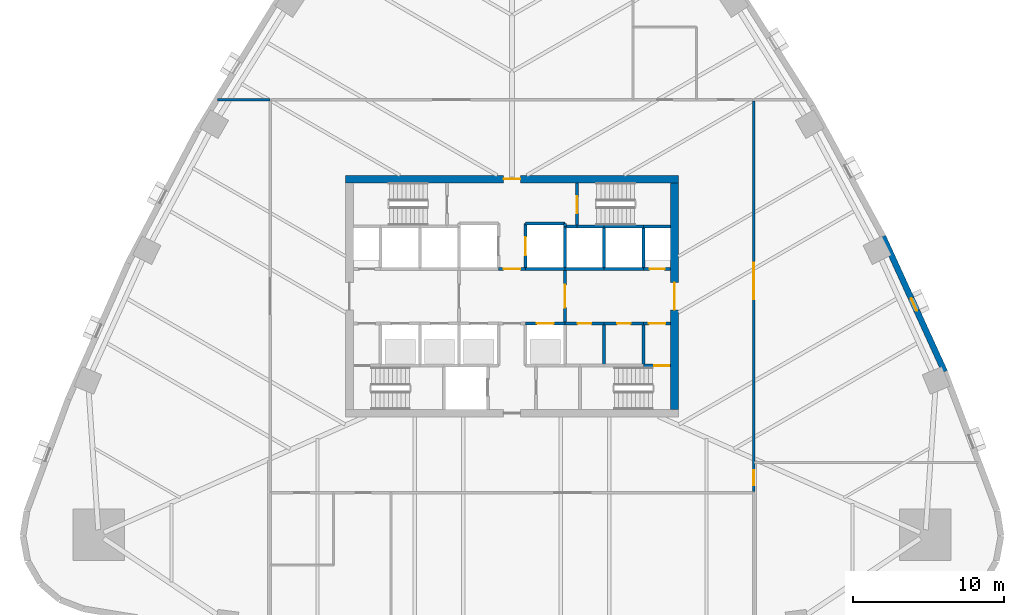
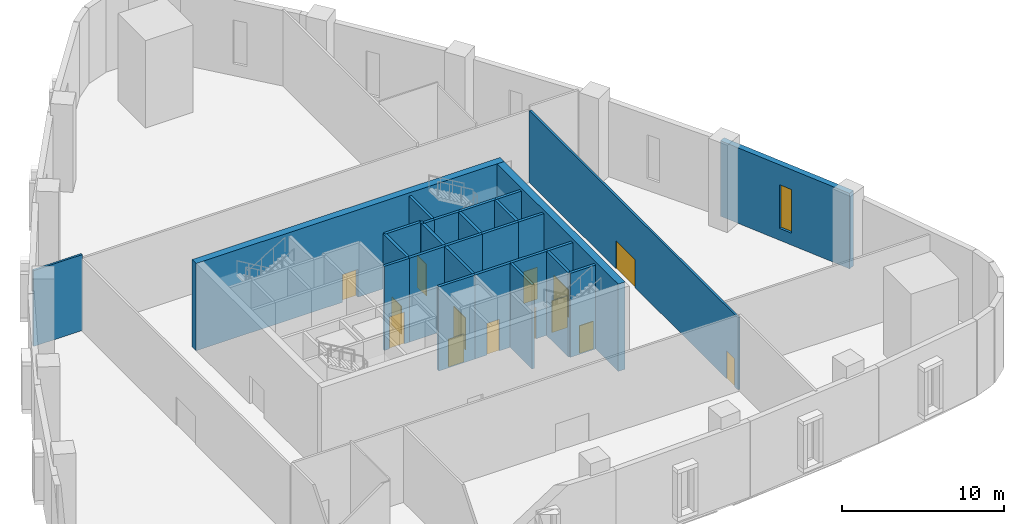
# One storey, part 5 of 11: 29 walls, 14 doors, 1 window, 15 openings.
"""IFC4 building model written with IfcOpenShell, lengths in metres."""

from ifc_helpers import new_model, si_unit, direction, frame, frame_2d, origin, place, context, subcontext, project, spatial, rectangle, extrude, material, layer, layer_set, type_object, element, fill, save


model = new_model("IFC4")

# Units and contexts
model_context = context("Model", 3, precision=1e-05, world=origin(), true_north=direction((0.0, 1.0)))
body_context = subcontext(model_context, "Body", "Model", "MODEL_VIEW")
ifc_project = project(units=[si_unit("LENGTHUNIT", "METRE"), si_unit("AREAUNIT", "SQUARE_METRE"), si_unit("VOLUMEUNIT", "CUBIC_METRE"), si_unit("PLANEANGLEUNIT", "RADIAN"), si_unit("MASSUNIT", "GRAM", prefix="KILO")], contexts=[model_context])

# Site, building, storey
site_placement = place(None, origin())
site = spatial("IfcSite", under=ifc_project, at=site_placement, CompositionType="ELEMENT")
building_placement = place(site_placement, origin())
building = spatial("IfcBuilding", under=site, at=building_placement, Name="Sierra Prisma Convention Tower", CompositionType="ELEMENT")
storey_placement = place(building_placement, frame((0.0, 0.0, 22.199951171875)))
storey = spatial("IfcBuildingStorey", under=building, at=storey_placement, Name="L03", CompositionType="ELEMENT", Elevation=22.199951171875)

# Wall, opening, door
ifc_material_1 = material(Name="Concrete C30/37", Category="concrete")
ifc_layer_1 = layer(ifc_material_1, 0.199951171875)
ifc_layer_set_1 = layer_set([ifc_layer_1], Name="Core wall RC 200 C30/37")
wall_type_1 = type_object("IfcWallType", Name="Core wall RC 200 C30/37", PredefinedType="SOLIDWALL", material=ifc_layer_set_1)
wall_1_placement = place(storey_placement, frame((0.89990234375, 1.800048828125, 0.0), z_axis=(0.0, 0.0, 1.0), x_axis=(-1.0, 0.0, 0.0)))
wall_1 = element("IfcWall", 1, at=wall_1_placement, inside=storey, type_object=wall_type_1, Name="Core wall L03 34", PredefinedType="SOLIDWALL", context=body_context, shape_type="SweptSolid", body=[
    extrude(rectangle(XDim=1.7998046875, YDim=0.199951171875, at=frame_2d((0.89990234375, 0.0))), origin(), (0.0, 0.0, 1.0), 6.35009765625),
])
opening_1_placement = place(wall_1_placement, frame((0.35009765625, 0.0, 0.0)))
opening_1 = element("IfcOpeningElement", 2, at=opening_1_placement, cuts=wall_1, Name="Opening L03-D012", PredefinedType="OPENING", context=body_context, shape_type="SweptSolid", body=[
    extrude(rectangle(XDim=1.10009765625, YDim=2.39990234375, at=frame_2d((0.550048828125, 1.199951171875))), frame((0.0, 0.10009765625, 0.0), z_axis=(0.0, -1.0, 0.0), x_axis=(1.0, 0.0, 0.0)), (0.0, 0.0, 1.0), 0.199951171875),
])
ifc_material_2 = material(Name="Steel fire door leaf", Category="steel")
door_type_1 = type_object("IfcDoorType", Name="Door 1100x2400 FD60S", OperationType="SINGLE_SWING_LEFT", PredefinedType="DOOR", material=ifc_material_2)
door_1_placement = place(opening_1_placement, origin())
door_1 = element("IfcDoor", 3, at=door_1_placement, inside=storey, type_object=door_type_1, Name="Door L03 21", OperationType="SINGLE_SWING_LEFT", OverallHeight=2.39990234375, OverallWidth=1.10009765625, PredefinedType="DOOR", context=body_context, shape_type="SweptSolid", body=[
    extrude(rectangle(XDim=1.10009765625, YDim=2.39990234375, at=frame_2d((0.550048828125, 1.199951171875))), frame((0.0, 0.02490234375, 0.0), z_axis=(0.0, -1.0, 0.0), x_axis=(1.0, 0.0, 0.0)), (0.0, 0.0, 1.0), 0.050048828125),
])
fill(opening_1, door_1)

wall_2_placement = place(storey_placement, frame((0.89990234375, -1.800048828125, 0.0), z_axis=(0.0, 0.0, 1.0), x_axis=(1.0, 0.0, 0.0)))
wall_2 = element("IfcWall", 4, at=wall_2_placement, inside=storey, type_object=wall_type_1, Name="Core wall L03 35", PredefinedType="SOLIDWALL", context=body_context, shape_type="SweptSolid", body=[
    extrude(rectangle(XDim=2.60009765625, YDim=0.199951171875, at=frame_2d((1.300048828125, 0.0))), origin(), (0.0, 0.0, 1.0), 6.35009765625),
])
opening_2_placement = place(wall_2_placement, frame((0.75, 0.0, 0.0)))
opening_2 = element("IfcOpeningElement", 5, at=opening_2_placement, cuts=wall_2, Name="Opening L03-D004", PredefinedType="OPENING", context=body_context, shape_type="SweptSolid", body=[
    extrude(rectangle(XDim=1.10009765625, YDim=2.10009765625, at=frame_2d((0.550048828125, 1.050048828125))), frame((0.0, 0.10009765625, 0.0), z_axis=(0.0, -1.0, 0.0), x_axis=(1.0, 0.0, 0.0)), (0.0, 0.0, 1.0), 0.199951171875),
])
ifc_material_3 = material(Name="Steel fire door leaf", Category="steel")
door_type_2 = type_object("IfcDoorType", Name="Door 1100x2100 EI 90 sliding lift landing", OperationType="SLIDING_TO_LEFT", PredefinedType="DOOR", material=ifc_material_3)
door_2_placement = place(opening_2_placement, origin())
door_2 = element("IfcDoor", 6, at=door_2_placement, inside=storey, type_object=door_type_2, Name="Door L03 13", OperationType="SLIDING_TO_LEFT", OverallHeight=2.10009765625, OverallWidth=1.10009765625, PredefinedType="DOOR", context=body_context, shape_type="SweptSolid", body=[
    extrude(rectangle(XDim=1.10009765625, YDim=2.10009765625, at=frame_2d((0.550048828125, 1.050048828125))), frame((0.0, 0.02490234375, 0.0), z_axis=(0.0, -1.0, 0.0), x_axis=(1.0, 0.0, 0.0)), (0.0, 0.0, 1.0), 0.050048828125),
])
fill(opening_2, door_2)

# Walls
wall_3_placement = place(storey_placement, frame((3.5, 1.800048828125, 0.0), z_axis=(0.0, 0.0, 1.0), x_axis=(-1.0, 0.0, 0.0)))
element("IfcWall", 7, at=wall_3_placement, inside=storey, type_object=wall_type_1, Name="Core wall L03 38", PredefinedType="SOLIDWALL", context=body_context, shape_type="SweptSolid", body=[
    extrude(rectangle(XDim=2.60009765625, YDim=0.199951171875, at=frame_2d((1.300048828125, 0.0))), origin(), (0.0, 0.0, 1.0), 6.35009765625),
])
wall_4_placement = place(storey_placement, frame((3.5, 4.60009765625, 0.0), z_axis=(0.0, 0.0, 1.0), x_axis=(0.0, 1.0, 0.0)))
element("IfcWall", 8, at=wall_4_placement, inside=storey, type_object=wall_type_1, Name="Core wall L03 39", PredefinedType="SOLIDWALL", context=body_context, shape_type="SweptSolid", body=[
    extrude(rectangle(XDim=0.199951171875, YDim=0.199951171875, at=frame_2d((0.10009765625, 0.0))), origin(), (0.0, 0.0, 1.0), 6.35009765625),
])
wall_5_placement = place(storey_placement, frame((3.5, 4.800048828125, 0.0), z_axis=(0.0, 0.0, 1.0), x_axis=(-1.0, 0.0, 0.0)))
element("IfcWall", 9, at=wall_5_placement, inside=storey, type_object=wall_type_1, Name="Core wall L03 40", PredefinedType="SOLIDWALL", context=body_context, shape_type="SweptSolid", body=[
    extrude(rectangle(XDim=2.60009765625, YDim=0.199951171875, at=frame_2d((1.300048828125, 0.0))), origin(), (0.0, 0.0, 1.0), 6.35009765625),
])

# Wall, opening, door
wall_6_placement = place(storey_placement, frame((0.89990234375, 4.800048828125, 0.0), z_axis=(0.0, 0.0, 1.0), x_axis=(0.0, -1.0, 0.0)))
wall_6 = element("IfcWall", 10, at=wall_6_placement, inside=storey, type_object=wall_type_1, Name="Core wall L03 41", PredefinedType="SOLIDWALL", context=body_context, shape_type="SweptSolid", body=[
    extrude(rectangle(XDim=3.0, YDim=0.199951171875, at=frame_2d((1.5, 0.0))), origin(), (0.0, 0.0, 1.0), 6.35009765625),
])
opening_3_placement = place(wall_6_placement, frame((0.89990234375, 0.0, 0.0)))
opening_3 = element("IfcOpeningElement", 11, at=opening_3_placement, cuts=wall_6, Name="Opening L03-D006", PredefinedType="OPENING", context=body_context, shape_type="SweptSolid", body=[
    extrude(rectangle(XDim=1.199951171875, YDim=2.10009765625, at=frame_2d((0.60009765625, 1.050048828125))), frame((0.0, 0.10009765625, 0.0), z_axis=(0.0, -1.0, 0.0), x_axis=(1.0, 0.0, 0.0)), (0.0, 0.0, 1.0), 0.199951171875),
])
ifc_material_4 = material(Name="Steel fire door leaf", Category="steel")
door_type_3 = type_object("IfcDoorType", Name="Door 1200x2100 EI 90 sliding lift landing", OperationType="SLIDING_TO_LEFT", PredefinedType="DOOR", material=ifc_material_4)
door_3_placement = place(opening_3_placement, origin())
door_3 = element("IfcDoor", 12, at=door_3_placement, inside=storey, type_object=door_type_3, Name="Door L03 15", OperationType="SLIDING_TO_LEFT", OverallHeight=2.10009765625, OverallWidth=1.199951171875, PredefinedType="DOOR", context=body_context, shape_type="SweptSolid", body=[
    extrude(rectangle(XDim=1.199951171875, YDim=2.10009765625, at=frame_2d((0.60009765625, 1.050048828125))), frame((0.0, 0.02490234375, 0.0), z_axis=(0.0, -1.0, 0.0), x_axis=(1.0, 0.0, 0.0)), (0.0, 0.0, 1.0), 0.050048828125),
])
fill(opening_3, door_3)

wall_7_placement = place(storey_placement, frame((6.10009765625, -1.800048828125, 0.0), z_axis=(0.0, 0.0, 1.0), x_axis=(-1.0, 0.0, 0.0)))
wall_7 = element("IfcWall", 13, at=wall_7_placement, inside=storey, type_object=wall_type_1, Name="Core wall L03 46", PredefinedType="SOLIDWALL", context=body_context, shape_type="SweptSolid", body=[
    extrude(rectangle(XDim=2.60009765625, YDim=0.199951171875, at=frame_2d((1.300048828125, 0.0))), origin(), (0.0, 0.0, 1.0), 6.35009765625),
])
opening_4_placement = place(wall_7_placement, frame((0.85009765625, 0.0, 0.0)))
opening_4 = element("IfcOpeningElement", 14, at=opening_4_placement, cuts=wall_7, Name="Opening L03-D020", PredefinedType="OPENING", context=body_context, shape_type="SweptSolid", body=[
    extrude(rectangle(XDim=0.89990234375, YDim=2.39990234375, at=frame_2d((0.449951171875, 1.199951171875))), frame((0.0, 0.10009765625, 0.0), z_axis=(0.0, -1.0, 0.0), x_axis=(1.0, 0.0, 0.0)), (0.0, 0.0, 1.0), 0.199951171875),
])
ifc_material_5 = material(Name="Steel fire door leaf", Category="steel")
door_type_4 = type_object("IfcDoorType", Name="Door 900x2400 FD30S", OperationType="SINGLE_SWING_LEFT", PredefinedType="DOOR", material=ifc_material_5)
door_4_placement = place(opening_4_placement, origin())
door_4 = element("IfcDoor", 15, at=door_4_placement, inside=storey, type_object=door_type_4, Name="Door L03 29", OperationType="SINGLE_SWING_LEFT", OverallHeight=2.39990234375, OverallWidth=0.89990234375, PredefinedType="DOOR", context=body_context, shape_type="SweptSolid", body=[
    extrude(rectangle(XDim=0.89990234375, YDim=2.39990234375, at=frame_2d((0.449951171875, 1.199951171875))), frame((0.0, 0.02490234375, 0.0), z_axis=(0.0, -1.0, 0.0), x_axis=(1.0, 0.0, 0.0)), (0.0, 0.0, 1.0), 0.050048828125),
])
fill(opening_4, door_4)

wall_8_placement = place(storey_placement, frame((3.5, -1.800048828125, 0.0), z_axis=(0.0, 0.0, 1.0), x_axis=(0.0, 1.0, 0.0)))
wall_8 = element("IfcWall", 16, at=wall_8_placement, inside=storey, type_object=wall_type_1, Name="Core wall L03 47", PredefinedType="SOLIDWALL", context=body_context, shape_type="SweptSolid", body=[
    extrude(rectangle(XDim=3.60009765625, YDim=0.199951171875, at=frame_2d((1.800048828125, 0.0))), origin(), (0.0, 0.0, 1.0), 6.35009765625),
])
opening_5_placement = place(wall_8_placement, frame((1.050048828125, 0.0, 0.0)))
opening_5 = element("IfcOpeningElement", 17, at=opening_5_placement, cuts=wall_8, Name="Opening L03-D009", PredefinedType="OPENING", context=body_context, shape_type="SweptSolid", body=[
    extrude(rectangle(XDim=1.5, YDim=2.39990234375, at=frame_2d((0.75, 1.199951171875))), frame((0.0, 0.10009765625, 0.0), z_axis=(0.0, -1.0, 0.0), x_axis=(1.0, 0.0, 0.0)), (0.0, 0.0, 1.0), 0.199951171875),
])
ifc_material_6 = material(Name="Steel fire door leaf", Category="steel")
door_type_5 = type_object("IfcDoorType", Name="Door 1500x2400 FD30S", OperationType="DOUBLE_DOOR_SINGLE_SWING", PredefinedType="DOOR", material=ifc_material_6)
door_5_placement = place(opening_5_placement, origin())
door_5 = element("IfcDoor", 18, at=door_5_placement, inside=storey, type_object=door_type_5, Name="Door L03 18", OperationType="DOUBLE_DOOR_SINGLE_SWING", OverallHeight=2.39990234375, OverallWidth=1.5, PredefinedType="DOOR", context=body_context, shape_type="SweptSolid", body=[
    extrude(rectangle(XDim=1.5, YDim=2.39990234375, at=frame_2d((0.75, 1.199951171875))), frame((0.0, 0.02490234375, 0.0), z_axis=(0.0, -1.0, 0.0), x_axis=(1.0, 0.0, 0.0)), (0.0, 0.0, 1.0), 0.050048828125),
])
fill(opening_5, door_5)

# Walls
wall_9_placement = place(storey_placement, frame((6.10009765625, 1.800048828125, 0.0), z_axis=(0.0, 0.0, 1.0), x_axis=(-1.0, 0.0, 0.0)))
element("IfcWall", 19, at=wall_9_placement, inside=storey, type_object=wall_type_1, Name="Core wall L03 48", PredefinedType="SOLIDWALL", context=body_context, shape_type="SweptSolid", body=[
    extrude(rectangle(XDim=2.60009765625, YDim=0.199951171875, at=frame_2d((1.300048828125, 0.0))), origin(), (0.0, 0.0, 1.0), 6.35009765625),
])
wall_10_placement = place(storey_placement, frame((3.5, 1.800048828125, 0.0), z_axis=(0.0, 0.0, 1.0), x_axis=(0.0, 1.0, 0.0)))
element("IfcWall", 20, at=wall_10_placement, inside=storey, type_object=wall_type_1, Name="Core wall L03 49", PredefinedType="SOLIDWALL", context=body_context, shape_type="SweptSolid", body=[
    extrude(rectangle(XDim=2.800048828125, YDim=0.199951171875, at=frame_2d((1.39990234375, 0.0))), origin(), (0.0, 0.0, 1.0), 6.35009765625),
])
wall_11_placement = place(storey_placement, frame((4.300048828125, 4.60009765625, 0.0), z_axis=(0.0, 0.0, 1.0), x_axis=(-1.0, 0.0, 0.0)))
element("IfcWall", 21, at=wall_11_placement, inside=storey, type_object=wall_type_1, Name="Core wall L03 50", PredefinedType="SOLIDWALL", context=body_context, shape_type="SweptSolid", body=[
    extrude(rectangle(XDim=0.800048828125, YDim=0.199951171875, at=frame_2d((0.39990234375, 0.0))), origin(), (0.0, 0.0, 1.0), 6.35009765625),
])
wall_12_placement = place(storey_placement, frame((6.10009765625, 4.60009765625, 0.0), z_axis=(0.0, 0.0, 1.0), x_axis=(-1.0, 0.0, 0.0)))
element("IfcWall", 22, at=wall_12_placement, inside=storey, type_object=wall_type_1, Name="Core wall L03 51", PredefinedType="SOLIDWALL", context=body_context, shape_type="SweptSolid", body=[
    extrude(rectangle(XDim=1.800048828125, YDim=0.199951171875, at=frame_2d((0.89990234375, 0.0))), origin(), (0.0, 0.0, 1.0), 6.35009765625),
])

# Wall, opening, door
wall_13_placement = place(storey_placement, frame((4.300048828125, 7.5, 0.0), z_axis=(0.0, 0.0, 1.0), x_axis=(0.0, -1.0, 0.0)))
wall_13 = element("IfcWall", 23, at=wall_13_placement, inside=storey, type_object=wall_type_1, Name="Core wall L03 52", PredefinedType="SOLIDWALL", context=body_context, shape_type="SweptSolid", body=[
    extrude(rectangle(XDim=2.89990234375, YDim=0.199951171875, at=frame_2d((1.449951171875, 0.0))), origin(), (0.0, 0.0, 1.0), 6.35009765625),
])
opening_6_placement = place(wall_13_placement, frame((0.89990234375, 0.0, 0.0)))
opening_6 = element("IfcOpeningElement", 24, at=opening_6_placement, cuts=wall_13, Name="Opening L03-D019", PredefinedType="OPENING", context=body_context, shape_type="SweptSolid", body=[
    extrude(rectangle(XDim=1.10009765625, YDim=2.39990234375, at=frame_2d((0.550048828125, 1.199951171875))), frame((0.0, 0.10009765625, 0.0), z_axis=(0.0, -1.0, 0.0), x_axis=(1.0, 0.0, 0.0)), (0.0, 0.0, 1.0), 0.199951171875),
])
ifc_material_7 = material(Name="Steel fire door leaf", Category="steel")
door_type_6 = type_object("IfcDoorType", Name="Door 1100x2400 FD90S", OperationType="SINGLE_SWING_LEFT", PredefinedType="DOOR", material=ifc_material_7)
door_6_placement = place(opening_6_placement, origin())
door_6 = element("IfcDoor", 25, at=door_6_placement, inside=storey, type_object=door_type_6, Name="Door L03 28", OperationType="SINGLE_SWING_RIGHT", OverallHeight=2.39990234375, OverallWidth=1.10009765625, PredefinedType="DOOR", context=body_context, shape_type="SweptSolid", body=[
    extrude(rectangle(XDim=1.10009765625, YDim=2.39990234375, at=frame_2d((0.550048828125, 1.199951171875))), frame((0.0, 0.02490234375, 0.0), z_axis=(0.0, -1.0, 0.0), x_axis=(1.0, 0.0, 0.0)), (0.0, 0.0, 1.0), 0.050048828125),
])
fill(opening_6, door_6)

# Wall
wall_14_placement = place(storey_placement, frame((6.10009765625, -4.60009765625, 0.0), z_axis=(0.0, 0.0, 1.0), x_axis=(0.0, 1.0, 0.0)))
element("IfcWall", 26, at=wall_14_placement, inside=storey, type_object=wall_type_1, Name="Core wall L03 56", PredefinedType="SOLIDWALL", context=body_context, shape_type="SweptSolid", body=[
    extrude(rectangle(XDim=2.800048828125, YDim=0.199951171875, at=frame_2d((1.39990234375, 0.0))), origin(), (0.0, 0.0, 1.0), 6.35009765625),
])

# Wall, opening, door
wall_15_placement = place(storey_placement, frame((8.699951171875, -1.800048828125, 0.0), z_axis=(0.0, 0.0, 1.0), x_axis=(-1.0, 0.0, 0.0)))
wall_15 = element("IfcWall", 27, at=wall_15_placement, inside=storey, type_object=wall_type_1, Name="Core wall L03 57", PredefinedType="SOLIDWALL", context=body_context, shape_type="SweptSolid", body=[
    extrude(rectangle(XDim=2.599853515625, YDim=0.199951171875, at=frame_2d((1.2998046875, 0.0))), origin(), (0.0, 0.0, 1.0), 6.35009765625),
])
opening_7_placement = place(wall_15_placement, frame((0.85009765625, 0.0, 0.0)))
opening_7 = element("IfcOpeningElement", 28, at=opening_7_placement, cuts=wall_15, Name="Opening L03-D021", PredefinedType="OPENING", context=body_context, shape_type="SweptSolid", body=[
    extrude(rectangle(XDim=0.89990234375, YDim=2.39990234375, at=frame_2d((0.449951171875, 1.199951171875))), frame((0.0, 0.10009765625, 0.0), z_axis=(0.0, -1.0, 0.0), x_axis=(1.0, 0.0, 0.0)), (0.0, 0.0, 1.0), 0.199951171875),
])
door_7_placement = place(opening_7_placement, origin())
door_7 = element("IfcDoor", 29, at=door_7_placement, inside=storey, type_object=door_type_4, Name="Door L03 30", OperationType="SINGLE_SWING_LEFT", OverallHeight=2.39990234375, OverallWidth=0.89990234375, PredefinedType="DOOR", context=body_context, shape_type="SweptSolid", body=[
    extrude(rectangle(XDim=0.89990234375, YDim=2.39990234375, at=frame_2d((0.449951171875, 1.199951171875))), frame((0.0, 0.02490234375, 0.0), z_axis=(0.0, -1.0, 0.0), x_axis=(1.0, 0.0, 0.0)), (0.0, 0.0, 1.0), 0.050048828125),
])
fill(opening_7, door_7)

# Walls
wall_16_placement = place(storey_placement, frame((8.699951171875, 1.800048828125, 0.0), z_axis=(0.0, 0.0, 1.0), x_axis=(-1.0, 0.0, 0.0)))
element("IfcWall", 30, at=wall_16_placement, inside=storey, type_object=wall_type_1, Name="Core wall L03 58", PredefinedType="SOLIDWALL", context=body_context, shape_type="SweptSolid", body=[
    extrude(rectangle(XDim=2.599853515625, YDim=0.199951171875, at=frame_2d((1.2998046875, 0.0))), origin(), (0.0, 0.0, 1.0), 6.35009765625),
])
wall_17_placement = place(storey_placement, frame((6.10009765625, 1.800048828125, 0.0), z_axis=(0.0, 0.0, 1.0), x_axis=(0.0, 1.0, 0.0)))
element("IfcWall", 31, at=wall_17_placement, inside=storey, type_object=wall_type_1, Name="Core wall L03 59", PredefinedType="SOLIDWALL", context=body_context, shape_type="SweptSolid", body=[
    extrude(rectangle(XDim=2.800048828125, YDim=0.199951171875, at=frame_2d((1.39990234375, 0.0))), origin(), (0.0, 0.0, 1.0), 6.35009765625),
])
wall_18_placement = place(storey_placement, frame((8.699951171875, 4.60009765625, 0.0), z_axis=(0.0, 0.0, 1.0), x_axis=(-1.0, 0.0, 0.0)))
element("IfcWall", 32, at=wall_18_placement, inside=storey, type_object=wall_type_1, Name="Core wall L03 60", PredefinedType="SOLIDWALL", context=body_context, shape_type="SweptSolid", body=[
    extrude(rectangle(XDim=2.599853515625, YDim=0.199951171875, at=frame_2d((1.2998046875, 0.0))), origin(), (0.0, 0.0, 1.0), 6.35009765625),
])

# Wall, opening, door
wall_19_placement = place(storey_placement, frame((8.699951171875, -4.60009765625, 0.0), z_axis=(0.0, 0.0, 1.0), x_axis=(1.0, 0.0, 0.0)))
wall_19 = element("IfcWall", 33, at=wall_19_placement, inside=storey, type_object=wall_type_1, Name="Core wall L03 61", PredefinedType="SOLIDWALL", context=body_context, shape_type="SweptSolid", body=[
    extrude(rectangle(XDim=1.800048828125, YDim=0.199951171875, at=frame_2d((0.89990234375, 0.0))), origin(), (0.0, 0.0, 1.0), 6.35009765625),
])
opening_8_placement = place(wall_19_placement, frame((0.699951171875, 0.0, 0.0)))
opening_8 = element("IfcOpeningElement", 34, at=opening_8_placement, cuts=wall_19, Name="Opening L03-D017", PredefinedType="OPENING", context=body_context, shape_type="SweptSolid", body=[
    extrude(rectangle(XDim=1.0, YDim=2.10009765625, at=frame_2d((0.5, 1.050048828125))), frame((0.0, 0.10009765625, 0.0), z_axis=(0.0, -1.0, 0.0), x_axis=(1.0, 0.0, 0.0)), (0.0, 0.0, 1.0), 0.199951171875),
])
ifc_material_8 = material(Name="Steel fire door leaf", Category="steel")
door_type_7 = type_object("IfcDoorType", Name="Door 1000x2100 FD90S", OperationType="SINGLE_SWING_LEFT", PredefinedType="DOOR", material=ifc_material_8)
door_8_placement = place(opening_8_placement, origin())
door_8 = element("IfcDoor", 35, at=door_8_placement, inside=storey, type_object=door_type_7, Name="Door L03 26", OperationType="SINGLE_SWING_RIGHT", OverallHeight=2.10009765625, OverallWidth=1.0, PredefinedType="DOOR", context=body_context, shape_type="SweptSolid", body=[
    extrude(rectangle(XDim=1.0, YDim=2.10009765625, at=frame_2d((0.5, 1.050048828125))), frame((0.0, 0.02490234375, 0.0), z_axis=(0.0, -1.0, 0.0), x_axis=(1.0, 0.0, 0.0)), (0.0, 0.0, 1.0), 0.050048828125),
])
fill(opening_8, door_8)

# Wall
wall_20_placement = place(storey_placement, frame((8.699951171875, -4.60009765625, 0.0), z_axis=(0.0, 0.0, 1.0), x_axis=(0.0, 1.0, 0.0)))
element("IfcWall", 36, at=wall_20_placement, inside=storey, type_object=wall_type_1, Name="Core wall L03 62", PredefinedType="SOLIDWALL", context=body_context, shape_type="SweptSolid", body=[
    extrude(rectangle(XDim=2.800048828125, YDim=0.199951171875, at=frame_2d((1.39990234375, 0.0))), origin(), (0.0, 0.0, 1.0), 6.35009765625),
])

# Wall, opening, door
wall_21_placement = place(storey_placement, frame((8.699951171875, -1.800048828125, 0.0), z_axis=(0.0, 0.0, 1.0), x_axis=(1.0, 0.0, 0.0)))
wall_21 = element("IfcWall", 37, at=wall_21_placement, inside=storey, type_object=wall_type_1, Name="Core wall L03 63", PredefinedType="SOLIDWALL", context=body_context, shape_type="SweptSolid", body=[
    extrude(rectangle(XDim=1.800048828125, YDim=0.199951171875, at=frame_2d((0.89990234375, 0.0))), origin(), (0.0, 0.0, 1.0), 6.35009765625),
])
opening_9_placement = place(wall_21_placement, frame((0.35009765625, 0.0, 0.0)))
opening_9 = element("IfcOpeningElement", 38, at=opening_9_placement, cuts=wall_21, Name="Opening L03-D011", PredefinedType="OPENING", context=body_context, shape_type="SweptSolid", body=[
    extrude(rectangle(XDim=1.10009765625, YDim=2.39990234375, at=frame_2d((0.550048828125, 1.199951171875))), frame((0.0, 0.10009765625, 0.0), z_axis=(0.0, -1.0, 0.0), x_axis=(1.0, 0.0, 0.0)), (0.0, 0.0, 1.0), 0.199951171875),
])
door_9_placement = place(opening_9_placement, origin())
door_9 = element("IfcDoor", 39, at=door_9_placement, inside=storey, type_object=door_type_6, Name="Door L03 20", OperationType="SINGLE_SWING_RIGHT", OverallHeight=2.39990234375, OverallWidth=1.10009765625, PredefinedType="DOOR", context=body_context, shape_type="SweptSolid", body=[
    extrude(rectangle(XDim=1.10009765625, YDim=2.39990234375, at=frame_2d((0.550048828125, 1.199951171875))), frame((0.0, 0.02490234375, 0.0), z_axis=(0.0, -1.0, 0.0), x_axis=(1.0, 0.0, 0.0)), (0.0, 0.0, 1.0), 0.050048828125),
])
fill(opening_9, door_9)

wall_22_placement = place(storey_placement, frame((10.5, 1.800048828125, 0.0), z_axis=(0.0, 0.0, 1.0), x_axis=(-1.0, 0.0, 0.0)))
wall_22 = element("IfcWall", 40, at=wall_22_placement, inside=storey, type_object=wall_type_1, Name="Core wall L03 64", PredefinedType="SOLIDWALL", context=body_context, shape_type="SweptSolid", body=[
    extrude(rectangle(XDim=1.800048828125, YDim=0.199951171875, at=frame_2d((0.89990234375, 0.0))), origin(), (0.0, 0.0, 1.0), 6.35009765625),
])
opening_10_placement = place(wall_22_placement, frame((0.39990234375, 0.0, 0.0)))
opening_10 = element("IfcOpeningElement", 41, at=opening_10_placement, cuts=wall_22, Name="Opening L03-D015", PredefinedType="OPENING", context=body_context, shape_type="SweptSolid", body=[
    extrude(rectangle(XDim=1.0, YDim=2.39990234375, at=frame_2d((0.5, 1.199951171875))), frame((0.0, 0.10009765625, 0.0), z_axis=(0.0, -1.0, 0.0), x_axis=(1.0, 0.0, 0.0)), (0.0, 0.0, 1.0), 0.199951171875),
])
ifc_material_9 = material(Name="Steel fire door leaf", Category="steel")
door_type_8 = type_object("IfcDoorType", Name="Door 1000x2400 FD60S", OperationType="SINGLE_SWING_LEFT", PredefinedType="DOOR", material=ifc_material_9)
door_10_placement = place(opening_10_placement, origin())
door_10 = element("IfcDoor", 42, at=door_10_placement, inside=storey, type_object=door_type_8, Name="Door L03 24", OperationType="SINGLE_SWING_LEFT", OverallHeight=2.39990234375, OverallWidth=1.0, PredefinedType="DOOR", context=body_context, shape_type="SweptSolid", body=[
    extrude(rectangle(XDim=1.0, YDim=2.39990234375, at=frame_2d((0.5, 1.199951171875))), frame((0.0, 0.02490234375, 0.0), z_axis=(0.0, -1.0, 0.0), x_axis=(1.0, 0.0, 0.0)), (0.0, 0.0, 1.0), 0.050048828125),
])
fill(opening_10, door_10)

# Walls
wall_23_placement = place(storey_placement, frame((8.699951171875, 4.60009765625, 0.0), z_axis=(0.0, 0.0, 1.0), x_axis=(0.0, -1.0, 0.0)))
element("IfcWall", 43, at=wall_23_placement, inside=storey, type_object=wall_type_1, Name="Core wall L03 65", PredefinedType="SOLIDWALL", context=body_context, shape_type="SweptSolid", body=[
    extrude(rectangle(XDim=2.800048828125, YDim=0.199951171875, at=frame_2d((1.39990234375, 0.0))), origin(), (0.0, 0.0, 1.0), 6.35009765625),
])
wall_24_placement = place(storey_placement, frame((10.5, 4.60009765625, 0.0), z_axis=(0.0, 0.0, 1.0), x_axis=(-1.0, 0.0, 0.0)))
element("IfcWall", 44, at=wall_24_placement, inside=storey, type_object=wall_type_1, Name="Core wall L03 66", PredefinedType="SOLIDWALL", context=body_context, shape_type="SweptSolid", body=[
    extrude(rectangle(XDim=1.800048828125, YDim=0.199951171875, at=frame_2d((0.89990234375, 0.0))), origin(), (0.0, 0.0, 1.0), 6.35009765625),
])

# Wall, opening, door
ifc_material_10 = material(Name="Concrete C70/85", Category="concrete")
ifc_layer_2 = layer(ifc_material_10, 0.5)
ifc_layer_set_2 = layer_set([ifc_layer_2], Name="Core wall RC 500 C70/85")
wall_type_2 = type_object("IfcWallType", Name="Core wall RC 500 C70/85", PredefinedType="SHEAR", material=ifc_layer_set_2)
wall_25_placement = place(storey_placement, frame((-11.0, 7.75, 0.0), z_axis=(0.0, 0.0, 1.0), x_axis=(1.0, 0.0, 0.0)))
wall_25 = element("IfcWall", 45, at=wall_25_placement, inside=storey, type_object=wall_type_2, Name="Core wall N L03", PredefinedType="SHEAR", context=body_context, shape_type="SweptSolid", body=[
    extrude(rectangle(XDim=22.0, YDim=0.5, at=frame_2d((11.0, 0.0))), origin(), (0.0, 0.0, 1.0), 6.60009765625),
])
opening_11_placement = place(wall_25_placement, frame((10.449951171875, 0.0, 0.0)))
opening_11 = element("IfcOpeningElement", 46, at=opening_11_placement, cuts=wall_25, Name="Opening L03-D033", PredefinedType="OPENING", context=body_context, shape_type="SweptSolid", body=[
    extrude(rectangle(XDim=1.10009765625, YDim=2.10009765625, at=frame_2d((0.550048828125, 1.050048828125))), frame((0.0, 0.25, 0.0), z_axis=(0.0, -1.0, 0.0), x_axis=(1.0, 0.0, 0.0)), (0.0, 0.0, 1.0), 0.5),
])
ifc_material_11 = material(Name="Steel fire door leaf", Category="steel")
door_type_9 = type_object("IfcDoorType", Name="Door 1100x2100 FD60S", OperationType="SINGLE_SWING_LEFT", PredefinedType="DOOR", material=ifc_material_11)
door_11_placement = place(opening_11_placement, origin())
door_11 = element("IfcDoor", 47, at=door_11_placement, inside=storey, type_object=door_type_9, Name="Door L03 34", OperationType="SINGLE_SWING_LEFT", OverallHeight=2.10009765625, OverallWidth=1.10009765625, PredefinedType="DOOR", context=body_context, shape_type="SweptSolid", body=[
    extrude(rectangle(XDim=1.10009765625, YDim=2.10009765625, at=frame_2d((0.550048828125, 1.050048828125))), frame((0.0, 0.02490234375, 0.0), z_axis=(0.0, -1.0, 0.0), x_axis=(1.0, 0.0, 0.0)), (0.0, 0.0, 1.0), 0.050048828125),
])
fill(opening_11, door_11)

wall_26_placement = place(storey_placement, frame((10.75, -7.5, 0.0), z_axis=(0.0, 0.0, 1.0), x_axis=(0.0, 1.0, 0.0)))
wall_26 = element("IfcWall", 48, at=wall_26_placement, inside=storey, type_object=wall_type_2, Name="Core wall E L03", PredefinedType="SHEAR", context=body_context, shape_type="SweptSolid", body=[
    extrude(rectangle(XDim=15.0, YDim=0.5, at=frame_2d((7.5, 0.0))), origin(), (0.0, 0.0, 1.0), 6.60009765625),
])
opening_12_placement = place(wall_26_placement, frame((6.60009765625, 0.0, 0.0)))
opening_12 = element("IfcOpeningElement", 49, at=opening_12_placement, cuts=wall_26, Name="Opening L03-D032", PredefinedType="OPENING", context=body_context, shape_type="SweptSolid", body=[
    extrude(rectangle(XDim=1.800048828125, YDim=2.10009765625, at=frame_2d((0.89990234375, 1.050048828125))), frame((0.0, 0.25, 0.0), z_axis=(0.0, -1.0, 0.0), x_axis=(1.0, 0.0, 0.0)), (0.0, 0.0, 1.0), 0.5),
])
ifc_material_12 = material(Name="Steel fire door leaf", Category="steel")
door_type_10 = type_object("IfcDoorType", Name="Door 1800x2100 FD60S", OperationType="DOUBLE_DOOR_SINGLE_SWING", PredefinedType="DOOR", material=ifc_material_12)
door_12_placement = place(opening_12_placement, origin())
door_12 = element("IfcDoor", 50, at=door_12_placement, inside=storey, type_object=door_type_10, Name="Door L03 33", OperationType="DOUBLE_DOOR_SINGLE_SWING", OverallHeight=2.10009765625, OverallWidth=1.800048828125, PredefinedType="DOOR", context=body_context, shape_type="SweptSolid", body=[
    extrude(rectangle(XDim=1.800048828125, YDim=2.10009765625, at=frame_2d((0.89990234375, 1.050048828125))), frame((0.0, 0.02490234375, 0.0), z_axis=(0.0, -1.0, 0.0), x_axis=(1.0, 0.0, 0.0)), (0.0, 0.0, 1.0), 0.050048828125),
])
fill(opening_12, door_12)

# Wall, openings, doors
ifc_material_13 = material(Name="Gypsum board partition", Category="gypsum")
ifc_layer_3 = layer(ifc_material_13, 0.14990234375)
ifc_layer_set_3 = layer_set([ifc_layer_3], Name="Corridor wall 150 gypsum EI 60")
wall_type_3 = type_object("IfcWallType", Name="Corridor wall 150 gypsum EI 60", PredefinedType="PARTITIONING", material=ifc_layer_set_3)
wall_27_placement = place(storey_placement, frame((16.0, -12.919921875, 0.0), z_axis=(0.0, 0.0, 1.0), x_axis=(0.0, 1.0, 0.0)))
wall_27 = element("IfcWall", 51, at=wall_27_placement, inside=storey, type_object=wall_type_3, Name="Partition L03 corr 4", PredefinedType="PARTITIONING", context=body_context, shape_type="SweptSolid", body=[
    extrude(rectangle(XDim=25.83984375, YDim=0.14990234375, at=frame_2d((12.919921875, 0.0))), origin(), (0.0, 0.0, 1.0), 5.447021484375),
])
opening_13_placement = place(wall_27_placement, frame((0.409912109375, 0.0, 0.0)))
opening_13 = element("IfcOpeningElement", 52, at=opening_13_placement, cuts=wall_27, Name="Opening L03-D030", PredefinedType="OPENING", context=body_context, shape_type="SweptSolid", body=[
    extrude(rectangle(XDim=1.0, YDim=2.10009765625, at=frame_2d((0.5, 1.050048828125))), frame((0.0, 0.074951171875, 0.0), z_axis=(0.0, -1.0, 0.0), x_axis=(1.0, 0.0, 0.0)), (0.0, 0.0, 1.0), 0.14990234375),
])
opening_14_placement = place(wall_27_placement, frame((12.719970703125, 0.0, 0.0)))
opening_14 = element("IfcOpeningElement", 53, at=opening_14_placement, cuts=wall_27, Name="Opening L03-D031", PredefinedType="OPENING", context=body_context, shape_type="SweptSolid", body=[
    extrude(rectangle(XDim=2.39990234375, YDim=2.10009765625, at=frame_2d((1.199951171875, 1.050048828125))), frame((0.0, 0.074951171875, 0.0), z_axis=(0.0, -1.0, 0.0), x_axis=(1.0, 0.0, 0.0)), (0.0, 0.0, 1.0), 0.14990234375),
])
ifc_material_14 = material(Name="Steel fire door leaf", Category="steel")
door_type_11 = type_object("IfcDoorType", Name="Door 1000x2100 FD30S", OperationType="SINGLE_SWING_LEFT", PredefinedType="DOOR", material=ifc_material_14)
door_13_placement = place(opening_13_placement, origin())
door_13 = element("IfcDoor", 54, at=door_13_placement, inside=storey, type_object=door_type_11, Name="Door L03 8", OperationType="SINGLE_SWING_RIGHT", OverallHeight=2.10009765625, OverallWidth=1.0, PredefinedType="DOOR", context=body_context, shape_type="SweptSolid", body=[
    extrude(rectangle(XDim=1.0, YDim=2.10009765625, at=frame_2d((0.5, 1.050048828125))), frame((0.0, 0.02490234375, 0.0), z_axis=(0.0, -1.0, 0.0), x_axis=(1.0, 0.0, 0.0)), (0.0, 0.0, 1.0), 0.050048828125),
])
fill(opening_13, door_13)
ifc_material_15 = material(Name="Steel fire door leaf", Category="steel")
door_type_12 = type_object("IfcDoorType", Name="Door 2400x2100 FD30S", OperationType="DOUBLE_DOOR_SINGLE_SWING", PredefinedType="DOOR", material=ifc_material_15)
door_14_placement = place(opening_14_placement, origin())
door_14 = element("IfcDoor", 55, at=door_14_placement, inside=storey, type_object=door_type_12, Name="Door L03 9", OperationType="DOUBLE_DOOR_SINGLE_SWING", OverallHeight=2.10009765625, OverallWidth=2.39990234375, PredefinedType="DOOR", context=body_context, shape_type="SweptSolid", body=[
    extrude(rectangle(XDim=2.39990234375, YDim=2.10009765625, at=frame_2d((1.199951171875, 1.050048828125))), frame((0.0, 0.02490234375, 0.0), z_axis=(0.0, -1.0, 0.0), x_axis=(1.0, 0.0, 0.0)), (0.0, 0.0, 1.0), 0.050048828125),
])
fill(opening_14, door_14)

# Wall
ifc_material_16 = material(Name="Gypsum board partition", Category="gypsum")
ifc_layer_4 = layer(ifc_material_16, 0.14990234375)
ifc_layer_set_4 = layer_set([ifc_layer_4], Name="Party wall 150 gypsum")
wall_type_4 = type_object("IfcWallType", Name="Party wall 150 gypsum", PredefinedType="PARTITIONING", material=ifc_layer_set_4)
wall_28_placement = place(storey_placement, frame((-16.0, 13.0, 0.0), z_axis=(0.0, 0.0, 1.0), x_axis=(-1.0, 0.0, 0.0)))
element("IfcWall", 56, at=wall_28_placement, inside=storey, type_object=wall_type_4, Name="Partition L03 party 1", PredefinedType="PARTITIONING", context=body_context, shape_type="SweptSolid", body=[
    extrude(rectangle(XDim=3.47900390625, YDim=0.14990234375, at=frame_2d((1.739501953125, 0.0))), origin(), (0.0, 0.0, 1.0), 5.734130859375),
])

# Wall, opening, window
ifc_material_17 = material(Name="Concrete C40/50, terracotta plaster finish", Category="masonry")
ifc_layer_5 = layer(ifc_material_17, 0.39990234375)
ifc_layer_set_5 = layer_set([ifc_layer_5], Name="Podium plastered wall 400")
wall_type_5 = type_object("IfcWallType", Name="Podium plastered wall 400", PredefinedType="STANDARD", material=ifc_layer_set_5)
wall_29_placement = place(storey_placement, frame((24.541259765625, 3.951171875, 0.0), z_axis=(0.0, 0.0, 1.0), x_axis=(0.415399179946, -0.909639225902, 0.0)))
wall_29 = element("IfcWall", 57, at=wall_29_placement, inside=storey, type_object=wall_type_5, Name="Podium wall L03 6", PredefinedType="STANDARD", context=body_context, shape_type="SweptSolid", body=[
    extrude(rectangle(XDim=9.82568359375, YDim=0.39990234375, at=frame_2d((4.912841796875, 0.0))), origin(), (0.0, 0.0, 1.0), 5.699951171875),
])
opening_15_placement = place(wall_29_placement, frame((4.5, 0.0, 0.89990234375)))
opening_15 = element("IfcOpeningElement", 58, at=opening_15_placement, cuts=wall_29, Name="Opening L03-W02", PredefinedType="OPENING", context=body_context, shape_type="SweptSolid", body=[
    extrude(rectangle(XDim=0.89990234375, YDim=3.300048828125, at=frame_2d((0.449951171875, 1.64990234375))), frame((0.0, 0.199951171875, 0.0), z_axis=(0.0, -1.0, 0.0), x_axis=(1.0, 0.0, 0.0)), (0.0, 0.0, 1.0), 0.39990234375),
])
ifc_material_18 = material(Name="Tinted glass, bronze aluminium frame", Category="aluminium")
window_type = type_object("IfcWindowType", Name="Podium tall slot window 900 x 3300", PartitioningType="SINGLE_PANEL", PredefinedType="WINDOW", material=ifc_material_18)
window_placement = place(opening_15_placement, origin())
window = element("IfcWindow", 59, at=window_placement, inside=storey, type_object=window_type, Name="Tall slot window", OverallHeight=3.300048828125, OverallWidth=0.89990234375, PartitioningType="SINGLE_PANEL", PredefinedType="WINDOW", context=body_context, shape_type="SweptSolid", body=[
    extrude(rectangle(XDim=0.89990234375, YDim=3.300048828125, at=frame_2d((0.449951171875, 1.64990234375))), frame((0.0, 0.030029296875, 0.0), z_axis=(0.0, -1.0, 0.0), x_axis=(1.0, 0.0, 0.0)), (0.0, 0.0, 1.0), 0.06005859375),
])
fill(opening_15, window)

save(model, "model.ifc")
